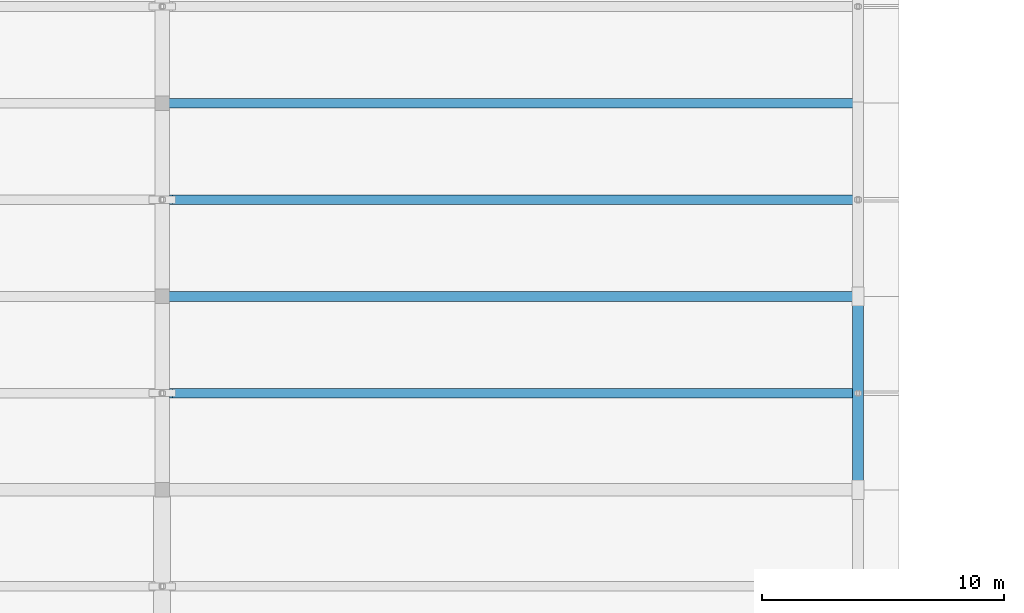
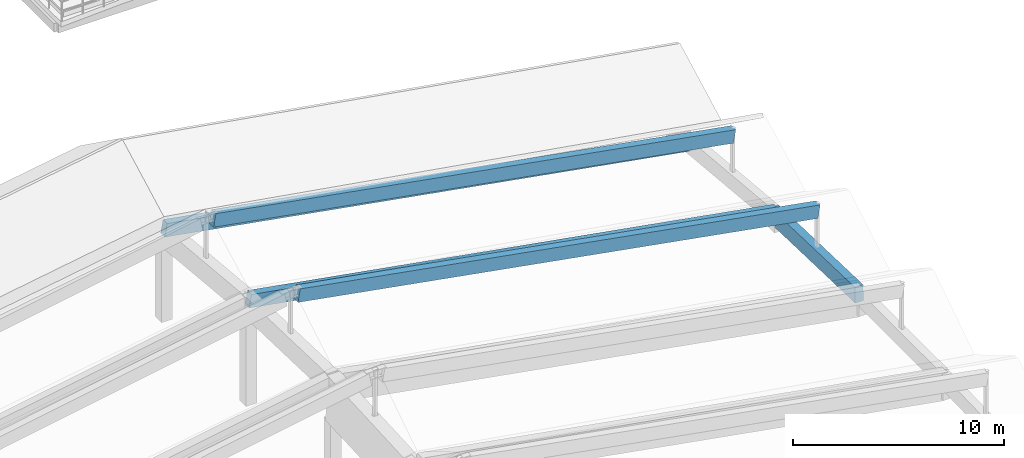
# One storey, part 37 of 109: 5 beams.
"""IFC4 building model written with IfcOpenShell, lengths in metres."""

from ifc_helpers import new_model, si_unit, direction, frame, origin, origin_2d, place, context, subcontext, project, spatial, rectangle, extrude, material, material_profile, profile_set, type_object, element, save


model = new_model("IFC4")

# Units and contexts
model_context = context("Model", 3, precision=1e-05, world=origin(), true_north=direction((0.0, 1.0)))
body_context = subcontext(model_context, "Body", "Model", "MODEL_VIEW")
ifc_project = project(units=[si_unit("LENGTHUNIT", "METRE"), si_unit("AREAUNIT", "SQUARE_METRE"), si_unit("VOLUMEUNIT", "CUBIC_METRE"), si_unit("PLANEANGLEUNIT", "RADIAN"), si_unit("MASSUNIT", "GRAM", prefix="KILO")], contexts=[model_context])

# Site, building, storey
site_placement = place(None, origin())
site = spatial("IfcSite", under=ifc_project, at=site_placement, CompositionType="ELEMENT")
building_placement = place(site_placement, origin())
building = spatial("IfcBuilding", under=site, at=building_placement, Name="Zavelmont Quarter", CompositionType="ELEMENT")
storey_placement = place(building_placement, frame((0.0, 0.0, 8.0)))
storey = spatial("IfcBuildingStorey", under=building, at=storey_placement, Name="L02", CompositionType="ELEMENT", Elevation=8.0)

# Beams
ifc_material = material(Name="Concrete C40/50", Category="concrete")
ifc_material_profile_1 = material_profile(ifc_material, rectangle(XDim=0.39990234375, YDim=0.75, at=origin_2d()), Name="RC400X750")
ifc_profile_set_1 = profile_set([ifc_material_profile_1], Name="Concrete C40/50")
beam_type_1 = type_object("IfcBeamType", Name="BM05", PredefinedType="BEAM", material=ifc_profile_set_1)
for number, where, z_axis, x_axis, name in (
    (1, (84.0, 70.0, 5.929931640625), (0.984681036413, 0.0, -0.174365296229), (0.0, 1.0, 0.0), "L02 beam BM05 13/L to 17/L"),
    (2, (84.0, 78.0, 5.179931640625), (0.984681036413, 0.0, -0.174365296229), (0.0, 1.0, 0.0), "L02 beam BM05 13/M to 17/M"),
):
    element("IfcBeam", number, at=place(storey_placement, frame(where, z_axis=z_axis, x_axis=x_axis)), inside=storey, type_object=beam_type_1, Name=name, PredefinedType="BEAM", context=body_context, shape_type="SweptSolid", body=[
        extrude(rectangle(XDim=0.39990234375, YDim=0.75, at=origin_2d()), origin(), (0.0, 0.0, 1.0), 29.248046875),
    ])
for number, where, z_axis, x_axis, name in (
    (3, (84.360107421875, 66.0, 8.554931640625), (0.984299788364, 0.0, -0.176504749585), (0.0, 1.0, 0.0), "L02 beam BM05 13/K to 17/K"),
    (4, (84.360107421875, 74.0, 8.054931640625), (0.984299788364, 0.0, -0.176504749585), (0.0, 1.0, 0.0), "L02 beam BM05 13/L to 17/L"),
):
    element("IfcBeam", number, at=place(storey_placement, frame(where, z_axis=z_axis, x_axis=x_axis)), inside=storey, type_object=beam_type_1, Name=name, PredefinedType="BEAM", context=body_context, shape_type="SweptSolid", body=[
        extrude(rectangle(XDim=0.39990234375, YDim=0.75, at=origin_2d()), origin(), (0.0, 0.0, 1.0), 28.8935546875),
    ])
ifc_material_profile_2 = material_profile(ifc_material, rectangle(XDim=0.449951171875, YDim=0.89990234375, at=origin_2d()), Name="RC450X900")
ifc_profile_set_2 = profile_set([ifc_material_profile_2], Name="Concrete C40/50")
beam_type_2 = type_object("IfcBeamType", Name="BM06", PredefinedType="BEAM", material=ifc_profile_set_2)
beam_placement = place(storey_placement, frame((112.800048828125, 62.0, 1.0048828125), z_axis=(0.0, 0.999512076087, -0.031234752378), x_axis=(-1.0, 0.0, 0.0)))
element("IfcBeam", 5, at=beam_placement, inside=storey, type_object=beam_type_2, Name="L02 beam BM06 17/K to 17/L", PredefinedType="BEAM", context=body_context, shape_type="SweptSolid", body=[
    extrude(rectangle(XDim=0.449951171875, YDim=0.89990234375, at=origin_2d()), origin(), (0.0, 0.0, 1.0), 8.00390625),
])

save(model, "model.ifc")
